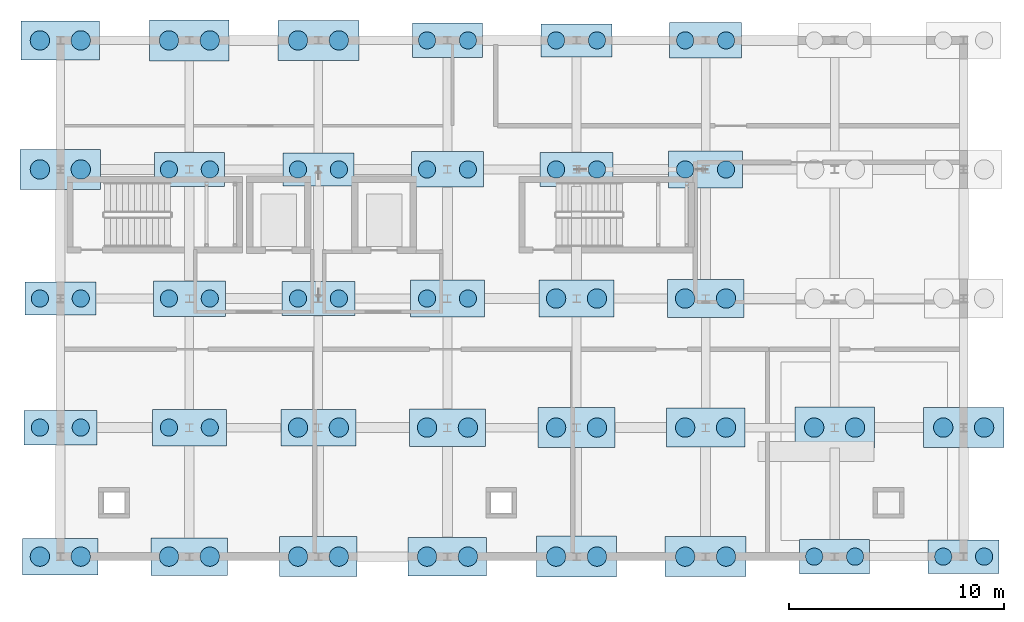
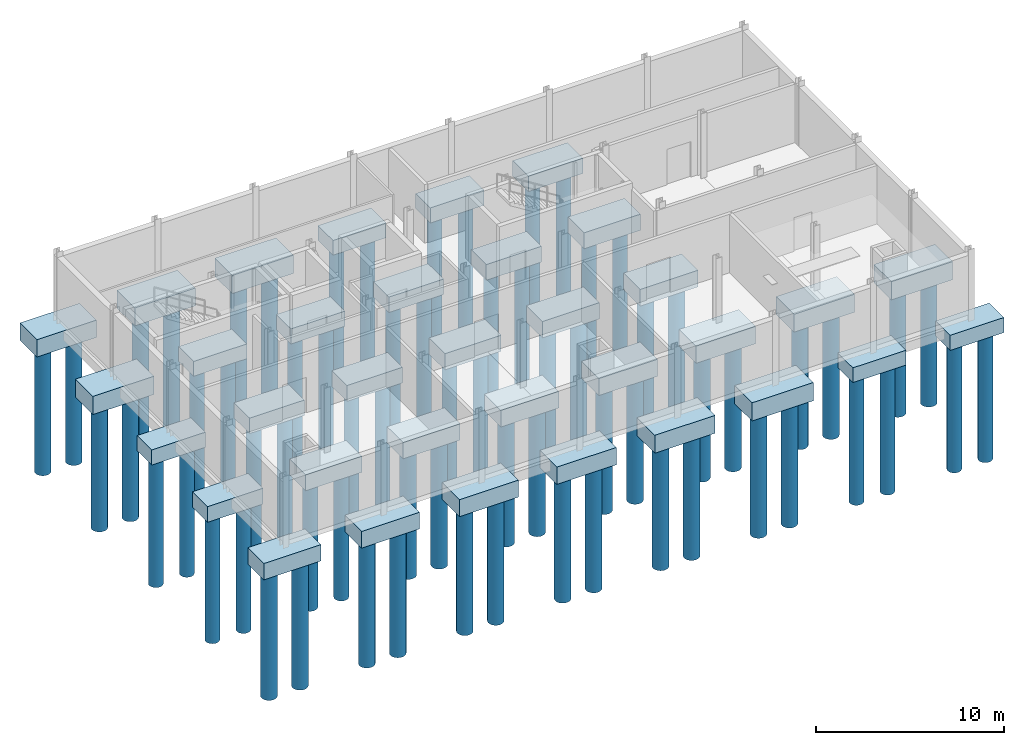
# One storey, part 1 of 12: 68 piles, 34 footings.
"""IFC4 building model written with IfcOpenShell, lengths in metres."""

from ifc_helpers import new_model, si_unit, direction, frame, origin, origin_2d, place, context, subcontext, project, spatial, rectangle, circle, extrude, material, material_profile, profile_set, type_object, element, save


model = new_model("IFC4")

# Units and contexts
model_context = context("Model", 3, precision=1e-05, world=origin(), true_north=direction((0.0, 1.0)))
body_context = subcontext(model_context, "Body", "Model", "MODEL_VIEW")
ifc_project = project(units=[si_unit("LENGTHUNIT", "METRE"), si_unit("AREAUNIT", "SQUARE_METRE"), si_unit("VOLUMEUNIT", "CUBIC_METRE"), si_unit("PLANEANGLEUNIT", "RADIAN"), si_unit("MASSUNIT", "GRAM", prefix="KILO")], contexts=[model_context])

# Site, building, storey
site_placement = place(None, origin())
site = spatial("IfcSite", under=ifc_project, at=site_placement, CompositionType="ELEMENT")
building_placement = place(site_placement, origin())
building = spatial("IfcBuilding", under=site, at=building_placement, Name="Siltcreek Boulevard Central Fire Station", CompositionType="ELEMENT")
storey_placement = place(building_placement, frame((0.0, 0.0, -4.199951171875)))
storey = spatial("IfcBuildingStorey", under=building, at=storey_placement, Name="B01", CompositionType="ELEMENT", Elevation=-4.199951171875)

# Footings
ifc_material = material(Name="Concrete C35/45", Category="concrete")
footing_type_1 = type_object("IfcFootingType", Name="PC_325X160X096", PredefinedType="PILE_CAP", material=ifc_material)
for number, where, z_axis, x_axis, name in (
    (1, (130.199951171875, 106.199951171875, -1.409912109375), (0.0, 0.0, 1.0), (1.0, 0.0, 0.0), "Reinforced concrete pile cap PC-137"),
    (2, (142.199951171875, 112.199951171875, -1.409912109375), (0.0, 0.0, 1.0), (1.0, 0.0, 0.0), "Reinforced concrete pile cap PC-148"),
    (3, (160.199951171875, 88.199951171875, -1.409912109375), (0.0, 0.0, 1.0), (1.0, 0.0, 0.0), "Reinforced concrete pile cap PC-159"),
):
    element("IfcFooting", number, at=place(storey_placement, frame(where, z_axis=z_axis, x_axis=x_axis)), inside=storey, type_object=footing_type_1, Name=name, PredefinedType="PILE_CAP", context=body_context, shape_type="SweptSolid", body=[
        extrude(rectangle(XDim=3.25, YDim=1.60009765625, at=origin_2d()), origin(), (0.0, 0.0, 1.0), 0.9599609375),
    ])
footing_type_2 = type_object("IfcFootingType", Name="PC_330X155X098", PredefinedType="PILE_CAP", material=ifc_material)
for number, where, z_axis, x_axis, name in (
    (4, (124.199951171875, 100.199951171875, -1.429931640625), (0.0, 0.0, 1.0), (1.0, 0.0, 0.0), "Reinforced concrete pile cap PC-131"),
    (5, (136.199951171875, 106.199951171875, -1.429931640625), (0.0, 0.0, 1.0), (1.0, 0.0, 0.0), "Reinforced concrete pile cap PC-142"),
    (6, (148.199951171875, 112.199951171875, -1.429931640625), (0.0, 0.0, 1.0), (1.0, 0.0, 0.0), "Reinforced concrete pile cap PC-153"),
    (7, (166.199951171875, 88.199951171875, -1.429931640625), (0.0, 0.0, 1.0), (1.0, 0.0, 0.0), "Reinforced concrete pile cap PC-164"),
):
    element("IfcFooting", number, at=place(storey_placement, frame(where, z_axis=z_axis, x_axis=x_axis)), inside=storey, type_object=footing_type_2, Name=name, PredefinedType="PILE_CAP", context=body_context, shape_type="SweptSolid", body=[
        extrude(rectangle(XDim=3.300048828125, YDim=1.550048828125, at=origin_2d()), origin(), (0.0, 0.0, 1.0), 0.97998046875),
    ])
footing_type_3 = type_object("IfcFootingType", Name="PC_335X165X100", PredefinedType="PILE_CAP", material=ifc_material)
for number, where, z_axis, x_axis, name in (
    (8, (130.199951171875, 100.199951171875, -1.449951171875), (0.0, 0.0, 1.0), (1.0, 0.0, 0.0), "Reinforced concrete pile cap PC-136"),
    (9, (142.199951171875, 106.199951171875, -1.449951171875), (0.0, 0.0, 1.0), (1.0, 0.0, 0.0), "Reinforced concrete pile cap PC-147"),
    (10, (154.199951171875, 112.199951171875, -1.449951171875), (0.0, 0.0, 1.0), (1.0, 0.0, 0.0), "Reinforced concrete pile cap PC-158"),
):
    element("IfcFooting", number, at=place(storey_placement, frame(where, z_axis=z_axis, x_axis=x_axis)), inside=storey, type_object=footing_type_3, Name=name, PredefinedType="PILE_CAP", context=body_context, shape_type="SweptSolid", body=[
        extrude(rectangle(XDim=3.35009765625, YDim=1.64990234375, at=origin_2d()), origin(), (0.0, 0.0, 1.0), 1.0),
    ])
footing_type_4 = type_object("IfcFootingType", Name="PC_340X160X102", PredefinedType="PILE_CAP", material=ifc_material)
for number, where, z_axis, x_axis, name in (
    (11, (124.199951171875, 94.199951171875, -1.469970703125), (0.0, 0.0, 1.0), (1.0, 0.0, 0.0), "Reinforced concrete pile cap PC-130"),
    (12, (136.199951171875, 100.199951171875, -1.469970703125), (0.0, 0.0, 1.0), (1.0, 0.0, 0.0), "Reinforced concrete pile cap PC-141"),
    (13, (148.199951171875, 106.199951171875, -1.469970703125), (0.0, 0.0, 1.0), (1.0, 0.0, 0.0), "Reinforced concrete pile cap PC-152"),
):
    element("IfcFooting", number, at=place(storey_placement, frame(where, z_axis=z_axis, x_axis=x_axis)), inside=storey, type_object=footing_type_4, Name=name, PredefinedType="PILE_CAP", context=body_context, shape_type="SweptSolid", body=[
        extrude(rectangle(XDim=3.39990234375, YDim=1.60009765625, at=origin_2d()), origin(), (0.0, 0.0, 1.0), 1.02001953125),
    ])
footing_type_5 = type_object("IfcFootingType", Name="PC_345X170X104", PredefinedType="PILE_CAP", material=ifc_material)
for number, where, z_axis, x_axis, name in (
    (14, (130.199951171875, 94.199951171875, -1.489990234375), (0.0, 0.0, 1.0), (1.0, 0.0, 0.0), "Reinforced concrete pile cap PC-135"),
    (15, (142.199951171875, 100.199951171875, -1.489990234375), (0.0, 0.0, 1.0), (1.0, 0.0, 0.0), "Reinforced concrete pile cap PC-146"),
    (16, (154.199951171875, 106.199951171875, -1.489990234375), (0.0, 0.0, 1.0), (1.0, 0.0, 0.0), "Reinforced concrete pile cap PC-157"),
):
    element("IfcFooting", number, at=place(storey_placement, frame(where, z_axis=z_axis, x_axis=x_axis)), inside=storey, type_object=footing_type_5, Name=name, PredefinedType="PILE_CAP", context=body_context, shape_type="SweptSolid", body=[
        extrude(rectangle(XDim=3.449951171875, YDim=1.699951171875, at=origin_2d()), origin(), (0.0, 0.0, 1.0), 1.0400390625),
    ])
footing_type_6 = type_object("IfcFootingType", Name="PC_350X170X106", PredefinedType="PILE_CAP", material=ifc_material)
for number, where, z_axis, x_axis, name in (
    (17, (124.199951171875, 88.199951171875, -1.510009765625), (0.0, 0.0, 1.0), (1.0, 0.0, 0.0), "Reinforced concrete pile cap PC-129"),
    (18, (136.199951171875, 94.199951171875, -1.510009765625), (0.0, 0.0, 1.0), (1.0, 0.0, 0.0), "Reinforced concrete pile cap PC-140"),
    (19, (148.199951171875, 100.199951171875, -1.510009765625), (0.0, 0.0, 1.0), (1.0, 0.0, 0.0), "Reinforced concrete pile cap PC-151"),
):
    element("IfcFooting", number, at=place(storey_placement, frame(where, z_axis=z_axis, x_axis=x_axis)), inside=storey, type_object=footing_type_6, Name=name, PredefinedType="PILE_CAP", context=body_context, shape_type="SweptSolid", body=[
        extrude(rectangle(XDim=3.5, YDim=1.699951171875, at=origin_2d()), origin(), (0.0, 0.0, 1.0), 1.06005859375),
    ])
footing_type_7 = type_object("IfcFootingType", Name="PC_355X175X108", PredefinedType="PILE_CAP", material=ifc_material)
for number, where, z_axis, x_axis, name in (
    (20, (130.199951171875, 88.199951171875, -1.530029296875), (0.0, 0.0, 1.0), (1.0, 0.0, 0.0), "Reinforced concrete pile cap PC-134"),
    (21, (142.199951171875, 94.199951171875, -1.530029296875), (0.0, 0.0, 1.0), (1.0, 0.0, 0.0), "Reinforced concrete pile cap PC-145"),
    (22, (154.199951171875, 100.199951171875, -1.530029296875), (0.0, 0.0, 1.0), (1.0, 0.0, 0.0), "Reinforced concrete pile cap PC-156"),
):
    element("IfcFooting", number, at=place(storey_placement, frame(where, z_axis=z_axis, x_axis=x_axis)), inside=storey, type_object=footing_type_7, Name=name, PredefinedType="PILE_CAP", context=body_context, shape_type="SweptSolid", body=[
        extrude(rectangle(XDim=3.550048828125, YDim=1.75, at=origin_2d()), origin(), (0.0, 0.0, 1.0), 1.080078125),
    ])
footing_type_8 = type_object("IfcFootingType", Name="PC_360X185X110", PredefinedType="PILE_CAP", material=ifc_material)
for number, where, z_axis, x_axis, name in (
    (23, (136.199951171875, 88.199951171875, -1.550048828125), (0.0, 0.0, 1.0), (1.0, 0.0, 0.0), "Reinforced concrete pile cap PC-139"),
    (24, (148.199951171875, 94.199951171875, -1.550048828125), (0.0, 0.0, 1.0), (1.0, 0.0, 0.0), "Reinforced concrete pile cap PC-150"),
):
    element("IfcFooting", number, at=place(storey_placement, frame(where, z_axis=z_axis, x_axis=x_axis)), inside=storey, type_object=footing_type_8, Name=name, PredefinedType="PILE_CAP", context=body_context, shape_type="SweptSolid", body=[
        extrude(rectangle(XDim=3.60009765625, YDim=1.85009765625, at=origin_2d()), origin(), (0.0, 0.0, 1.0), 1.10009765625),
    ])
footing_type_9 = type_object("IfcFootingType", Name="PC_365X180X112", PredefinedType="PILE_CAP", material=ifc_material)
for number, where, z_axis, x_axis, name in (
    (25, (124.199951171875, 112.199951171875, -1.570068359375), (0.0, 0.0, 1.0), (1.0, 0.0, 0.0), "Reinforced concrete pile cap PC-133"),
    (26, (142.199951171875, 88.199951171875, -1.570068359375), (0.0, 0.0, 1.0), (1.0, 0.0, 0.0), "Reinforced concrete pile cap PC-144"),
    (27, (154.199951171875, 94.199951171875, -1.570068359375), (0.0, 0.0, 1.0), (1.0, 0.0, 0.0), "Reinforced concrete pile cap PC-155"),
):
    element("IfcFooting", number, at=place(storey_placement, frame(where, z_axis=z_axis, x_axis=x_axis)), inside=storey, type_object=footing_type_9, Name=name, PredefinedType="PILE_CAP", context=body_context, shape_type="SweptSolid", body=[
        extrude(rectangle(XDim=3.64990234375, YDim=1.800048828125, at=origin_2d()), origin(), (0.0, 0.0, 1.0), 1.1201171875),
    ])
footing_type_10 = type_object("IfcFootingType", Name="PC_370X190X116", PredefinedType="PILE_CAP", material=ifc_material)
for number, where, z_axis, x_axis, name in (
    (28, (130.199951171875, 112.199951171875, -1.60986328125), (0.0, 0.0, 1.0), (1.0, 0.0, 0.0), "Reinforced concrete pile cap PC-138"),
    (29, (148.199951171875, 88.199951171875, -1.60986328125), (0.0, 0.0, 1.0), (1.0, 0.0, 0.0), "Reinforced concrete pile cap PC-149"),
    (30, (160.199951171875, 94.199951171875, -1.60986328125), (0.0, 0.0, 1.0), (1.0, 0.0, 0.0), "Reinforced concrete pile cap PC-160"),
):
    element("IfcFooting", number, at=place(storey_placement, frame(where, z_axis=z_axis, x_axis=x_axis)), inside=storey, type_object=footing_type_10, Name=name, PredefinedType="PILE_CAP", context=body_context, shape_type="SweptSolid", body=[
        extrude(rectangle(XDim=3.699951171875, YDim=1.89990234375, at=origin_2d()), origin(), (0.0, 0.0, 1.0), 1.159912109375),
    ])
footing_type_11 = type_object("IfcFootingType", Name="PC_375X185X118", PredefinedType="PILE_CAP", material=ifc_material)
for number, where, z_axis, x_axis, name in (
    (31, (124.199951171875, 106.199951171875, -1.6298828125), (0.0, 0.0, 1.0), (1.0, 0.0, 0.0), "Reinforced concrete pile cap PC-132"),
    (32, (136.199951171875, 112.199951171875, -1.6298828125), (0.0, 0.0, 1.0), (1.0, 0.0, 0.0), "Reinforced concrete pile cap PC-143"),
    (33, (154.199951171875, 88.199951171875, -1.6298828125), (0.0, 0.0, 1.0), (1.0, 0.0, 0.0), "Reinforced concrete pile cap PC-154"),
    (34, (166.199951171875, 94.199951171875, -1.6298828125), (0.0, 0.0, 1.0), (1.0, 0.0, 0.0), "Reinforced concrete pile cap PC-165"),
):
    element("IfcFooting", number, at=place(storey_placement, frame(where, z_axis=z_axis, x_axis=x_axis)), inside=storey, type_object=footing_type_11, Name=name, PredefinedType="PILE_CAP", context=body_context, shape_type="SweptSolid", body=[
        extrude(rectangle(XDim=3.75, YDim=1.85009765625, at=origin_2d()), origin(), (0.0, 0.0, 1.0), 1.179931640625),
    ])

# Piles
ifc_material_profile_1 = material_profile(ifc_material, circle(Radius=0.39990234375, at=origin_2d()), Name="SHAFT800")
ifc_profile_set_1 = profile_set([ifc_material_profile_1], Name="Concrete C35/45")
pile_type_1 = type_object("IfcPileType", Name="PILE_D800", PredefinedType="BORED", material=ifc_profile_set_1)
for number, where, z_axis, x_axis, name in (
    (35, (123.25, 94.199951171875, -1.3701171875), (0.0, 0.0, -1.0), (1.0, 0.0, 0.0), "Bored concrete pile 246 in Vashon till"),
    (36, (125.14990234375, 94.199951171875, -1.3701171875), (0.0, 0.0, -1.0), (1.0, 0.0, 0.0), "Bored concrete pile 247 in Vashon till"),
):
    element("IfcPile", number, at=place(storey_placement, frame(where, z_axis=z_axis, x_axis=x_axis)), inside=storey, type_object=pile_type_1, Name=name, PredefinedType="BORED", context=body_context, shape_type="SweptSolid", body=[
        extrude(circle(Radius=0.39990234375, at=origin_2d()), origin(), (0.0, 0.0, 1.0), 8.429931640625),
    ])
for number, where, z_axis, x_axis, name in (
    (37, (123.25, 100.199951171875, -1.330078125), (0.0, 0.0, -1.0), (1.0, 0.0, 0.0), "Bored concrete pile 248 in Vashon till"),
    (38, (125.14990234375, 100.199951171875, -1.330078125), (0.0, 0.0, -1.0), (1.0, 0.0, 0.0), "Bored concrete pile 249 in Vashon till"),
):
    element("IfcPile", number, at=place(storey_placement, frame(where, z_axis=z_axis, x_axis=x_axis)), inside=storey, type_object=pile_type_1, Name=name, PredefinedType="BORED", context=body_context, shape_type="SweptSolid", body=[
        extrude(circle(Radius=0.39990234375, at=origin_2d()), origin(), (0.0, 0.0, 1.0), 8.469970703125),
    ])
for number, where, z_axis, x_axis, name in (
    (39, (129.25, 94.199951171875, -1.39013671875), (0.0, 0.0, -1.0), (1.0, 0.0, 0.0), "Bored concrete pile 256 in Vashon till"),
    (40, (131.14990234375, 94.199951171875, -1.39013671875), (0.0, 0.0, -1.0), (1.0, 0.0, 0.0), "Bored concrete pile 257 in Vashon till"),
):
    element("IfcPile", number, at=place(storey_placement, frame(where, z_axis=z_axis, x_axis=x_axis)), inside=storey, type_object=pile_type_1, Name=name, PredefinedType="BORED", context=body_context, shape_type="SweptSolid", body=[
        extrude(circle(Radius=0.39990234375, at=origin_2d()), origin(), (0.0, 0.0, 1.0), 8.409912109375),
    ])
for number, where, z_axis, x_axis, name in (
    (41, (129.25, 100.199951171875, -1.35009765625), (0.0, 0.0, -1.0), (1.0, 0.0, 0.0), "Bored concrete pile 258 in Vashon till"),
    (42, (131.14990234375, 100.199951171875, -1.35009765625), (0.0, 0.0, -1.0), (1.0, 0.0, 0.0), "Bored concrete pile 259 in Vashon till"),
):
    element("IfcPile", number, at=place(storey_placement, frame(where, z_axis=z_axis, x_axis=x_axis)), inside=storey, type_object=pile_type_1, Name=name, PredefinedType="BORED", context=body_context, shape_type="SweptSolid", body=[
        extrude(circle(Radius=0.39990234375, at=origin_2d()), origin(), (0.0, 0.0, 1.0), 8.449951171875),
    ])
for number, where, z_axis, x_axis, name in (
    (43, (129.25, 106.199951171875, -1.31005859375), (0.0, 0.0, -1.0), (1.0, 0.0, 0.0), "Bored concrete pile 260 in Vashon till"),
    (44, (131.14990234375, 106.199951171875, -1.31005859375), (0.0, 0.0, -1.0), (1.0, 0.0, 0.0), "Bored concrete pile 261 in Vashon till"),
):
    element("IfcPile", number, at=place(storey_placement, frame(where, z_axis=z_axis, x_axis=x_axis)), inside=storey, type_object=pile_type_1, Name=name, PredefinedType="BORED", context=body_context, shape_type="SweptSolid", body=[
        extrude(circle(Radius=0.39990234375, at=origin_2d()), origin(), (0.0, 0.0, 1.0), 8.489990234375),
    ])
for number, where, z_axis, x_axis, name in (
    (45, (135.25, 100.199951171875, -1.3701171875), (0.0, 0.0, -1.0), (1.0, 0.0, 0.0), "Bored concrete pile 268 in Vashon till"),
    (46, (137.14990234375, 100.199951171875, -1.3701171875), (0.0, 0.0, -1.0), (1.0, 0.0, 0.0), "Bored concrete pile 269 in Vashon till"),
):
    element("IfcPile", number, at=place(storey_placement, frame(where, z_axis=z_axis, x_axis=x_axis)), inside=storey, type_object=pile_type_1, Name=name, PredefinedType="BORED", context=body_context, shape_type="SweptSolid", body=[
        extrude(circle(Radius=0.39990234375, at=origin_2d()), origin(), (0.0, 0.0, 1.0), 8.429931640625),
    ])
for number, where, z_axis, x_axis, name in (
    (47, (135.25, 106.199951171875, -1.330078125), (0.0, 0.0, -1.0), (1.0, 0.0, 0.0), "Bored concrete pile 270 in Vashon till"),
    (48, (137.14990234375, 106.199951171875, -1.330078125), (0.0, 0.0, -1.0), (1.0, 0.0, 0.0), "Bored concrete pile 271 in Vashon till"),
):
    element("IfcPile", number, at=place(storey_placement, frame(where, z_axis=z_axis, x_axis=x_axis)), inside=storey, type_object=pile_type_1, Name=name, PredefinedType="BORED", context=body_context, shape_type="SweptSolid", body=[
        extrude(circle(Radius=0.39990234375, at=origin_2d()), origin(), (0.0, 0.0, 1.0), 8.469970703125),
    ])
for number, where, z_axis, x_axis, name in (
    (49, (141.25, 100.199951171875, -1.39013671875), (0.0, 0.0, -1.0), (1.0, 0.0, 0.0), "Bored concrete pile 278 in Vashon till"),
    (50, (143.14990234375, 100.199951171875, -1.39013671875), (0.0, 0.0, -1.0), (1.0, 0.0, 0.0), "Bored concrete pile 279 in Vashon till"),
):
    element("IfcPile", number, at=place(storey_placement, frame(where, z_axis=z_axis, x_axis=x_axis)), inside=storey, type_object=pile_type_1, Name=name, PredefinedType="BORED", context=body_context, shape_type="SweptSolid", body=[
        extrude(circle(Radius=0.39990234375, at=origin_2d()), origin(), (0.0, 0.0, 1.0), 8.409912109375),
    ])
for number, where, z_axis, x_axis, name in (
    (51, (141.25, 106.199951171875, -1.35009765625), (0.0, 0.0, -1.0), (1.0, 0.0, 0.0), "Bored concrete pile 280 in Vashon till"),
    (52, (143.14990234375, 106.199951171875, -1.35009765625), (0.0, 0.0, -1.0), (1.0, 0.0, 0.0), "Bored concrete pile 281 in Vashon till"),
):
    element("IfcPile", number, at=place(storey_placement, frame(where, z_axis=z_axis, x_axis=x_axis)), inside=storey, type_object=pile_type_1, Name=name, PredefinedType="BORED", context=body_context, shape_type="SweptSolid", body=[
        extrude(circle(Radius=0.39990234375, at=origin_2d()), origin(), (0.0, 0.0, 1.0), 8.449951171875),
    ])
for number, where, z_axis, x_axis, name in (
    (53, (141.25, 112.199951171875, -1.31005859375), (0.0, 0.0, -1.0), (1.0, 0.0, 0.0), "Bored concrete pile 282 in Vashon till"),
    (54, (143.14990234375, 112.199951171875, -1.31005859375), (0.0, 0.0, -1.0), (1.0, 0.0, 0.0), "Bored concrete pile 283 in Vashon till"),
):
    element("IfcPile", number, at=place(storey_placement, frame(where, z_axis=z_axis, x_axis=x_axis)), inside=storey, type_object=pile_type_1, Name=name, PredefinedType="BORED", context=body_context, shape_type="SweptSolid", body=[
        extrude(circle(Radius=0.39990234375, at=origin_2d()), origin(), (0.0, 0.0, 1.0), 8.489990234375),
    ])
for number, where, z_axis, x_axis, name in (
    (55, (147.25, 106.199951171875, -1.3701171875), (0.0, 0.0, -1.0), (1.0, 0.0, 0.0), "Bored concrete pile 290 in Vashon till"),
    (56, (149.14990234375, 106.199951171875, -1.3701171875), (0.0, 0.0, -1.0), (1.0, 0.0, 0.0), "Bored concrete pile 291 in Vashon till"),
):
    element("IfcPile", number, at=place(storey_placement, frame(where, z_axis=z_axis, x_axis=x_axis)), inside=storey, type_object=pile_type_1, Name=name, PredefinedType="BORED", context=body_context, shape_type="SweptSolid", body=[
        extrude(circle(Radius=0.39990234375, at=origin_2d()), origin(), (0.0, 0.0, 1.0), 8.429931640625),
    ])
for number, where, z_axis, x_axis, name in (
    (57, (147.25, 112.199951171875, -1.330078125), (0.0, 0.0, -1.0), (1.0, 0.0, 0.0), "Bored concrete pile 292 in Vashon till"),
    (58, (149.14990234375, 112.199951171875, -1.330078125), (0.0, 0.0, -1.0), (1.0, 0.0, 0.0), "Bored concrete pile 293 in Vashon till"),
):
    element("IfcPile", number, at=place(storey_placement, frame(where, z_axis=z_axis, x_axis=x_axis)), inside=storey, type_object=pile_type_1, Name=name, PredefinedType="BORED", context=body_context, shape_type="SweptSolid", body=[
        extrude(circle(Radius=0.39990234375, at=origin_2d()), origin(), (0.0, 0.0, 1.0), 8.469970703125),
    ])
for number, where, z_axis, x_axis, name in (
    (59, (153.25, 106.199951171875, -1.39013671875), (0.0, 0.0, -1.0), (1.0, 0.0, 0.0), "Bored concrete pile 300 in Vashon till"),
    (60, (155.14990234375, 106.199951171875, -1.39013671875), (0.0, 0.0, -1.0), (1.0, 0.0, 0.0), "Bored concrete pile 301 in Vashon till"),
):
    element("IfcPile", number, at=place(storey_placement, frame(where, z_axis=z_axis, x_axis=x_axis)), inside=storey, type_object=pile_type_1, Name=name, PredefinedType="BORED", context=body_context, shape_type="SweptSolid", body=[
        extrude(circle(Radius=0.39990234375, at=origin_2d()), origin(), (0.0, 0.0, 1.0), 8.409912109375),
    ])
for number, where, z_axis, x_axis, name in (
    (61, (153.25, 112.199951171875, -1.35009765625), (0.0, 0.0, -1.0), (1.0, 0.0, 0.0), "Bored concrete pile 302 in Vashon till"),
    (62, (155.14990234375, 112.199951171875, -1.35009765625), (0.0, 0.0, -1.0), (1.0, 0.0, 0.0), "Bored concrete pile 303 in Vashon till"),
):
    element("IfcPile", number, at=place(storey_placement, frame(where, z_axis=z_axis, x_axis=x_axis)), inside=storey, type_object=pile_type_1, Name=name, PredefinedType="BORED", context=body_context, shape_type="SweptSolid", body=[
        extrude(circle(Radius=0.39990234375, at=origin_2d()), origin(), (0.0, 0.0, 1.0), 8.449951171875),
    ])
for number, where, z_axis, x_axis, name in (
    (63, (159.25, 88.199951171875, -1.31005859375), (0.0, 0.0, -1.0), (1.0, 0.0, 0.0), "Bored concrete pile 304 in Vashon till"),
    (64, (161.14990234375, 88.199951171875, -1.31005859375), (0.0, 0.0, -1.0), (1.0, 0.0, 0.0), "Bored concrete pile 305 in Vashon till"),
):
    element("IfcPile", number, at=place(storey_placement, frame(where, z_axis=z_axis, x_axis=x_axis)), inside=storey, type_object=pile_type_1, Name=name, PredefinedType="BORED", context=body_context, shape_type="SweptSolid", body=[
        extrude(circle(Radius=0.39990234375, at=origin_2d()), origin(), (0.0, 0.0, 1.0), 8.489990234375),
    ])
for number, where, z_axis, x_axis, name in (
    (65, (165.25, 88.199951171875, -1.330078125), (0.0, 0.0, -1.0), (1.0, 0.0, 0.0), "Bored concrete pile 314 in Vashon till"),
    (66, (167.14990234375, 88.199951171875, -1.330078125), (0.0, 0.0, -1.0), (1.0, 0.0, 0.0), "Bored concrete pile 315 in Vashon till"),
):
    element("IfcPile", number, at=place(storey_placement, frame(where, z_axis=z_axis, x_axis=x_axis)), inside=storey, type_object=pile_type_1, Name=name, PredefinedType="BORED", context=body_context, shape_type="SweptSolid", body=[
        extrude(circle(Radius=0.39990234375, at=origin_2d()), origin(), (0.0, 0.0, 1.0), 8.469970703125),
    ])
ifc_material_profile_2 = material_profile(ifc_material, circle(Radius=0.449951171875, at=origin_2d()), Name="SHAFT900")
ifc_profile_set_2 = profile_set([ifc_material_profile_2], Name="Concrete C35/45")
pile_type_2 = type_object("IfcPileType", Name="PILE_D900", PredefinedType="BORED", material=ifc_profile_set_2)
for number, where, z_axis, x_axis, name in (
    (67, (123.25, 88.199951171875, -1.41015625), (0.0, 0.0, -1.0), (1.0, 0.0, 0.0), "Bored concrete pile 244 in Vashon till"),
    (68, (125.14990234375, 88.199951171875, -1.41015625), (0.0, 0.0, -1.0), (1.0, 0.0, 0.0), "Bored concrete pile 245 in Vashon till"),
):
    element("IfcPile", number, at=place(storey_placement, frame(where, z_axis=z_axis, x_axis=x_axis)), inside=storey, type_object=pile_type_2, Name=name, PredefinedType="BORED", context=body_context, shape_type="SweptSolid", body=[
        extrude(circle(Radius=0.449951171875, at=origin_2d()), origin(), (0.0, 0.0, 1.0), 8.389892578125),
    ])
for number, where, z_axis, x_axis, name in (
    (69, (123.25, 106.199951171875, -1.530029296875), (0.0, 0.0, -1.0), (1.0, 0.0, 0.0), "Bored concrete pile 250 in Vashon till"),
    (70, (125.14990234375, 106.199951171875, -1.530029296875), (0.0, 0.0, -1.0), (1.0, 0.0, 0.0), "Bored concrete pile 251 in Vashon till"),
):
    element("IfcPile", number, at=place(storey_placement, frame(where, z_axis=z_axis, x_axis=x_axis)), inside=storey, type_object=pile_type_2, Name=name, PredefinedType="BORED", context=body_context, shape_type="SweptSolid", body=[
        extrude(circle(Radius=0.449951171875, at=origin_2d()), origin(), (0.0, 0.0, 1.0), 8.27001953125),
    ])
for number, where, z_axis, x_axis, name in (
    (71, (123.25, 112.199951171875, -1.469970703125), (0.0, 0.0, -1.0), (1.0, 0.0, 0.0), "Bored concrete pile 252 in Vashon till"),
    (72, (125.14990234375, 112.199951171875, -1.469970703125), (0.0, 0.0, -1.0), (1.0, 0.0, 0.0), "Bored concrete pile 253 in Vashon till"),
):
    element("IfcPile", number, at=place(storey_placement, frame(where, z_axis=z_axis, x_axis=x_axis)), inside=storey, type_object=pile_type_2, Name=name, PredefinedType="BORED", context=body_context, shape_type="SweptSolid", body=[
        extrude(circle(Radius=0.449951171875, at=origin_2d()), origin(), (0.0, 0.0, 1.0), 8.330078125),
    ])
for number, where, z_axis, x_axis, name in (
    (73, (129.25, 88.199951171875, -1.429931640625), (0.0, 0.0, -1.0), (1.0, 0.0, 0.0), "Bored concrete pile 254 in Vashon till"),
    (74, (131.14990234375, 88.199951171875, -1.429931640625), (0.0, 0.0, -1.0), (1.0, 0.0, 0.0), "Bored concrete pile 255 in Vashon till"),
):
    element("IfcPile", number, at=place(storey_placement, frame(where, z_axis=z_axis, x_axis=x_axis)), inside=storey, type_object=pile_type_2, Name=name, PredefinedType="BORED", context=body_context, shape_type="SweptSolid", body=[
        extrude(circle(Radius=0.449951171875, at=origin_2d()), origin(), (0.0, 0.0, 1.0), 8.3701171875),
    ])
for number, where, z_axis, x_axis, name in (
    (75, (129.25, 112.199951171875, -1.510009765625), (0.0, 0.0, -1.0), (1.0, 0.0, 0.0), "Bored concrete pile 262 in Vashon till"),
    (76, (131.14990234375, 112.199951171875, -1.510009765625), (0.0, 0.0, -1.0), (1.0, 0.0, 0.0), "Bored concrete pile 263 in Vashon till"),
):
    element("IfcPile", number, at=place(storey_placement, frame(where, z_axis=z_axis, x_axis=x_axis)), inside=storey, type_object=pile_type_2, Name=name, PredefinedType="BORED", context=body_context, shape_type="SweptSolid", body=[
        extrude(circle(Radius=0.449951171875, at=origin_2d()), origin(), (0.0, 0.0, 1.0), 8.2900390625),
    ])
for number, where, z_axis, x_axis, name in (
    (77, (135.25, 88.199951171875, -1.449951171875), (0.0, 0.0, -1.0), (1.0, 0.0, 0.0), "Bored concrete pile 264 in Vashon till"),
    (78, (137.14990234375, 88.199951171875, -1.449951171875), (0.0, 0.0, -1.0), (1.0, 0.0, 0.0), "Bored concrete pile 265 in Vashon till"),
):
    element("IfcPile", number, at=place(storey_placement, frame(where, z_axis=z_axis, x_axis=x_axis)), inside=storey, type_object=pile_type_2, Name=name, PredefinedType="BORED", context=body_context, shape_type="SweptSolid", body=[
        extrude(circle(Radius=0.449951171875, at=origin_2d()), origin(), (0.0, 0.0, 1.0), 8.35009765625),
    ])
for number, where, z_axis, x_axis, name in (
    (79, (135.25, 94.199951171875, -1.41015625), (0.0, 0.0, -1.0), (1.0, 0.0, 0.0), "Bored concrete pile 266 in Vashon till"),
    (80, (137.14990234375, 94.199951171875, -1.41015625), (0.0, 0.0, -1.0), (1.0, 0.0, 0.0), "Bored concrete pile 267 in Vashon till"),
):
    element("IfcPile", number, at=place(storey_placement, frame(where, z_axis=z_axis, x_axis=x_axis)), inside=storey, type_object=pile_type_2, Name=name, PredefinedType="BORED", context=body_context, shape_type="SweptSolid", body=[
        extrude(circle(Radius=0.449951171875, at=origin_2d()), origin(), (0.0, 0.0, 1.0), 8.389892578125),
    ])
for number, where, z_axis, x_axis, name in (
    (81, (135.25, 112.199951171875, -1.530029296875), (0.0, 0.0, -1.0), (1.0, 0.0, 0.0), "Bored concrete pile 272 in Vashon till"),
    (82, (137.14990234375, 112.199951171875, -1.530029296875), (0.0, 0.0, -1.0), (1.0, 0.0, 0.0), "Bored concrete pile 273 in Vashon till"),
):
    element("IfcPile", number, at=place(storey_placement, frame(where, z_axis=z_axis, x_axis=x_axis)), inside=storey, type_object=pile_type_2, Name=name, PredefinedType="BORED", context=body_context, shape_type="SweptSolid", body=[
        extrude(circle(Radius=0.449951171875, at=origin_2d()), origin(), (0.0, 0.0, 1.0), 8.27001953125),
    ])
for number, where, z_axis, x_axis, name in (
    (83, (141.25, 88.199951171875, -1.469970703125), (0.0, 0.0, -1.0), (1.0, 0.0, 0.0), "Bored concrete pile 274 in Vashon till"),
    (84, (143.14990234375, 88.199951171875, -1.469970703125), (0.0, 0.0, -1.0), (1.0, 0.0, 0.0), "Bored concrete pile 275 in Vashon till"),
):
    element("IfcPile", number, at=place(storey_placement, frame(where, z_axis=z_axis, x_axis=x_axis)), inside=storey, type_object=pile_type_2, Name=name, PredefinedType="BORED", context=body_context, shape_type="SweptSolid", body=[
        extrude(circle(Radius=0.449951171875, at=origin_2d()), origin(), (0.0, 0.0, 1.0), 8.330078125),
    ])
for number, where, z_axis, x_axis, name in (
    (85, (141.25, 94.199951171875, -1.429931640625), (0.0, 0.0, -1.0), (1.0, 0.0, 0.0), "Bored concrete pile 276 in Vashon till"),
    (86, (143.14990234375, 94.199951171875, -1.429931640625), (0.0, 0.0, -1.0), (1.0, 0.0, 0.0), "Bored concrete pile 277 in Vashon till"),
):
    element("IfcPile", number, at=place(storey_placement, frame(where, z_axis=z_axis, x_axis=x_axis)), inside=storey, type_object=pile_type_2, Name=name, PredefinedType="BORED", context=body_context, shape_type="SweptSolid", body=[
        extrude(circle(Radius=0.449951171875, at=origin_2d()), origin(), (0.0, 0.0, 1.0), 8.3701171875),
    ])
for number, where, z_axis, x_axis, name in (
    (87, (147.25, 88.199951171875, -1.510009765625), (0.0, 0.0, -1.0), (1.0, 0.0, 0.0), "Bored concrete pile 284 in Vashon till"),
    (88, (149.14990234375, 88.199951171875, -1.510009765625), (0.0, 0.0, -1.0), (1.0, 0.0, 0.0), "Bored concrete pile 285 in Vashon till"),
):
    element("IfcPile", number, at=place(storey_placement, frame(where, z_axis=z_axis, x_axis=x_axis)), inside=storey, type_object=pile_type_2, Name=name, PredefinedType="BORED", context=body_context, shape_type="SweptSolid", body=[
        extrude(circle(Radius=0.449951171875, at=origin_2d()), origin(), (0.0, 0.0, 1.0), 8.2900390625),
    ])
for number, where, z_axis, x_axis, name in (
    (89, (147.25, 94.199951171875, -1.449951171875), (0.0, 0.0, -1.0), (1.0, 0.0, 0.0), "Bored concrete pile 286 in Vashon till"),
    (90, (149.14990234375, 94.199951171875, -1.449951171875), (0.0, 0.0, -1.0), (1.0, 0.0, 0.0), "Bored concrete pile 287 in Vashon till"),
):
    element("IfcPile", number, at=place(storey_placement, frame(where, z_axis=z_axis, x_axis=x_axis)), inside=storey, type_object=pile_type_2, Name=name, PredefinedType="BORED", context=body_context, shape_type="SweptSolid", body=[
        extrude(circle(Radius=0.449951171875, at=origin_2d()), origin(), (0.0, 0.0, 1.0), 8.35009765625),
    ])
for number, where, z_axis, x_axis, name in (
    (91, (147.25, 100.199951171875, -1.41015625), (0.0, 0.0, -1.0), (1.0, 0.0, 0.0), "Bored concrete pile 288 in Vashon till"),
    (92, (149.14990234375, 100.199951171875, -1.41015625), (0.0, 0.0, -1.0), (1.0, 0.0, 0.0), "Bored concrete pile 289 in Vashon till"),
):
    element("IfcPile", number, at=place(storey_placement, frame(where, z_axis=z_axis, x_axis=x_axis)), inside=storey, type_object=pile_type_2, Name=name, PredefinedType="BORED", context=body_context, shape_type="SweptSolid", body=[
        extrude(circle(Radius=0.449951171875, at=origin_2d()), origin(), (0.0, 0.0, 1.0), 8.389892578125),
    ])
for number, where, z_axis, x_axis, name in (
    (93, (153.25, 88.199951171875, -1.530029296875), (0.0, 0.0, -1.0), (1.0, 0.0, 0.0), "Bored concrete pile 294 in Vashon till"),
    (94, (155.14990234375, 88.199951171875, -1.530029296875), (0.0, 0.0, -1.0), (1.0, 0.0, 0.0), "Bored concrete pile 295 in Vashon till"),
):
    element("IfcPile", number, at=place(storey_placement, frame(where, z_axis=z_axis, x_axis=x_axis)), inside=storey, type_object=pile_type_2, Name=name, PredefinedType="BORED", context=body_context, shape_type="SweptSolid", body=[
        extrude(circle(Radius=0.449951171875, at=origin_2d()), origin(), (0.0, 0.0, 1.0), 8.27001953125),
    ])
for number, where, z_axis, x_axis, name in (
    (95, (153.25, 94.199951171875, -1.469970703125), (0.0, 0.0, -1.0), (1.0, 0.0, 0.0), "Bored concrete pile 296 in Vashon till"),
    (96, (155.14990234375, 94.199951171875, -1.469970703125), (0.0, 0.0, -1.0), (1.0, 0.0, 0.0), "Bored concrete pile 297 in Vashon till"),
):
    element("IfcPile", number, at=place(storey_placement, frame(where, z_axis=z_axis, x_axis=x_axis)), inside=storey, type_object=pile_type_2, Name=name, PredefinedType="BORED", context=body_context, shape_type="SweptSolid", body=[
        extrude(circle(Radius=0.449951171875, at=origin_2d()), origin(), (0.0, 0.0, 1.0), 8.330078125),
    ])
for number, where, z_axis, x_axis, name in (
    (97, (153.25, 100.199951171875, -1.429931640625), (0.0, 0.0, -1.0), (1.0, 0.0, 0.0), "Bored concrete pile 298 in Vashon till"),
    (98, (155.14990234375, 100.199951171875, -1.429931640625), (0.0, 0.0, -1.0), (1.0, 0.0, 0.0), "Bored concrete pile 299 in Vashon till"),
):
    element("IfcPile", number, at=place(storey_placement, frame(where, z_axis=z_axis, x_axis=x_axis)), inside=storey, type_object=pile_type_2, Name=name, PredefinedType="BORED", context=body_context, shape_type="SweptSolid", body=[
        extrude(circle(Radius=0.449951171875, at=origin_2d()), origin(), (0.0, 0.0, 1.0), 8.3701171875),
    ])
for number, where, z_axis, x_axis, name in (
    (99, (159.25, 94.199951171875, -1.510009765625), (0.0, 0.0, -1.0), (1.0, 0.0, 0.0), "Bored concrete pile 306 in Vashon till"),
    (100, (161.14990234375, 94.199951171875, -1.510009765625), (0.0, 0.0, -1.0), (1.0, 0.0, 0.0), "Bored concrete pile 307 in Vashon till"),
):
    element("IfcPile", number, at=place(storey_placement, frame(where, z_axis=z_axis, x_axis=x_axis)), inside=storey, type_object=pile_type_2, Name=name, PredefinedType="BORED", context=body_context, shape_type="SweptSolid", body=[
        extrude(circle(Radius=0.449951171875, at=origin_2d()), origin(), (0.0, 0.0, 1.0), 8.2900390625),
    ])
for number, where, z_axis, x_axis, name in (
    (101, (165.25, 94.199951171875, -1.530029296875), (0.0, 0.0, -1.0), (1.0, 0.0, 0.0), "Bored concrete pile 316 in Vashon till"),
    (102, (167.14990234375, 94.199951171875, -1.530029296875), (0.0, 0.0, -1.0), (1.0, 0.0, 0.0), "Bored concrete pile 317 in Vashon till"),
):
    element("IfcPile", number, at=place(storey_placement, frame(where, z_axis=z_axis, x_axis=x_axis)), inside=storey, type_object=pile_type_2, Name=name, PredefinedType="BORED", context=body_context, shape_type="SweptSolid", body=[
        extrude(circle(Radius=0.449951171875, at=origin_2d()), origin(), (0.0, 0.0, 1.0), 8.27001953125),
    ])

save(model, "model.ifc")
